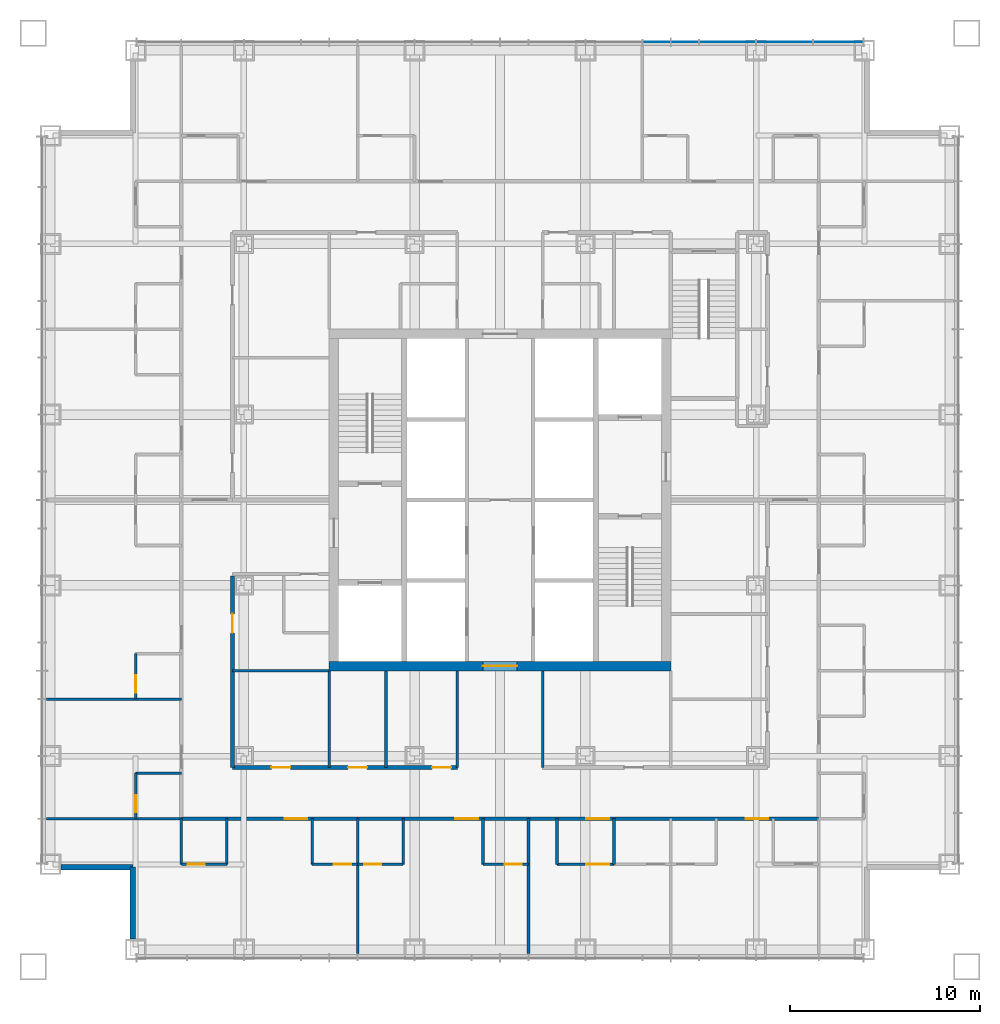
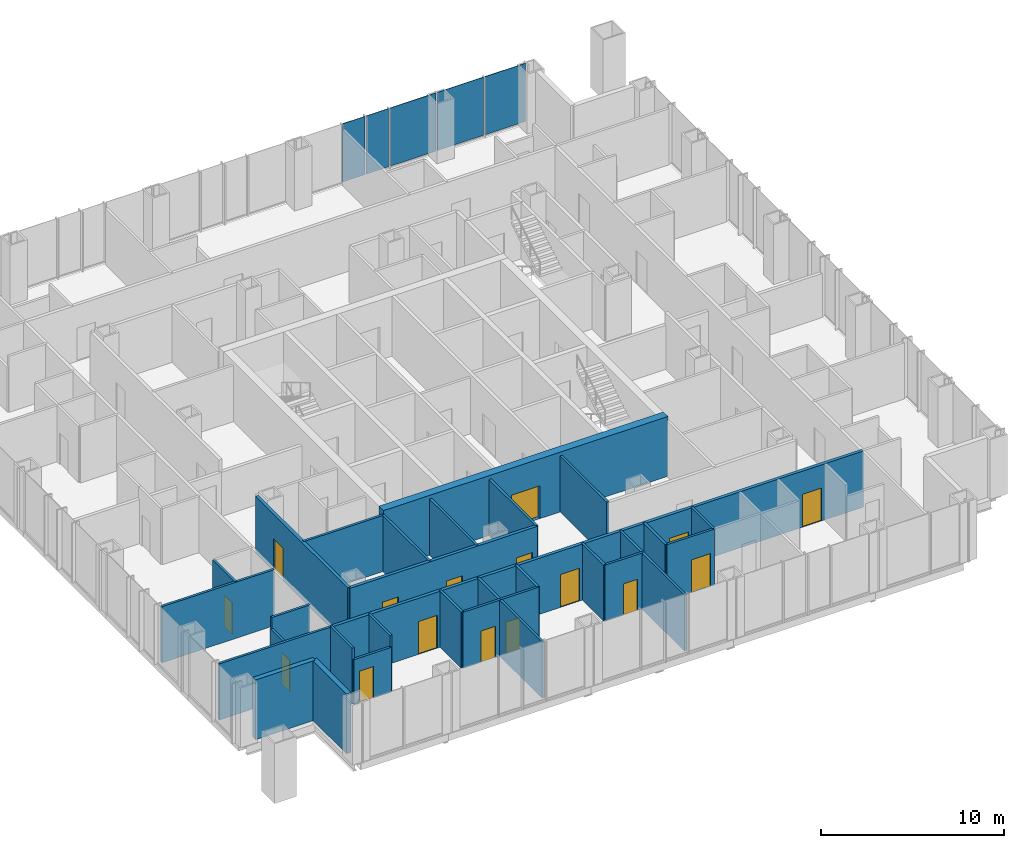
# One storey, part 7 of 12: 30 walls, 16 doors, 5 plates, 16 openings, 1 element without a shape of its own.
"""IFC4 building model written with IfcOpenShell, lengths in metres."""

from ifc_helpers import new_model, si_unit, direction, frame, frame_2d, origin, origin_2d, place, context, subcontext, project, spatial, rectangle, extrude, material, layer, layer_set, type_object, element, fill, aggregate, save


model = new_model("IFC4")

# Units and contexts
model_context = context("Model", 3, precision=1e-05, world=origin(), true_north=direction((0.0, 1.0)))
body_context = subcontext(model_context, "Body", "Model", "MODEL_VIEW")
ifc_project = project(units=[si_unit("LENGTHUNIT", "METRE"), si_unit("AREAUNIT", "SQUARE_METRE"), si_unit("VOLUMEUNIT", "CUBIC_METRE"), si_unit("PLANEANGLEUNIT", "RADIAN"), si_unit("MASSUNIT", "GRAM", prefix="KILO")], contexts=[model_context])

# Site, building, storey
site_placement = place(None, origin())
site = spatial("IfcSite", under=ifc_project, at=site_placement, CompositionType="ELEMENT")
building_placement = place(site_placement, origin())
building = spatial("IfcBuilding", under=site, at=building_placement, Name="Malebo Sky Hospital", CompositionType="ELEMENT")
storey_placement = place(building_placement, frame((0.0, 0.0, 136.0)))
storey = spatial("IfcBuildingStorey", under=building, at=storey_placement, Name="L32", CompositionType="ELEMENT", Elevation=136.0)

# Curtain wall, plates
ifc_material_1 = material(Name="Anodised aluminium, natural silver", Category="aluminium")
ifc_layer_1 = layer(ifc_material_1, 0.25)
ifc_layer_set_1 = layer_set([ifc_layer_1], Name="WARD CURTAIN WALL NORTH AND SOUTH")
curtain_wall_type = type_object("IfcCurtainWallType", Name="WARD CURTAIN WALL NORTH AND SOUTH", PredefinedType="NOTDEFINED", material=ifc_layer_set_1)
curtain_wall_placement = place(storey_placement, origin())
curtain_wall = element("IfcCurtainWall", 1, at=curtain_wall_placement, inside=storey, type_object=curtain_wall_type, Name="NS curtain wall N", PredefinedType="NOTDEFINED")
ifc_material_2 = material(Name="Clear low-iron double glazing", Category="glass")
ifc_layer_2 = layer(ifc_material_2, 0.031982421875)
ifc_layer_set_2 = layer_set([ifc_layer_2], Name="VISION PANEL CLEAR 32")
plate_type = type_object("IfcPlateType", Name="VISION PANEL CLEAR 32", PredefinedType="CURTAIN_PANEL", material=ifc_layer_set_2)
plate_1_placement = place(storey_placement, frame((68.25, 86.135009765625, 0.10009765625), z_axis=(0.0, 0.0, 1.0), x_axis=(1.0, 0.0, 0.0)))
plate_1 = element("IfcPlate", 2, at=plate_1_placement, type_object=plate_type, Name="Panel 12", PredefinedType="CURTAIN_PANEL", context=body_context, shape_type="SweptSolid", body=[
    extrude(rectangle(XDim=1.425048828125, YDim=0.031982421875, at=origin_2d()), origin(), (0.0, 0.0, 1.0), 3.889892578125),
])
plate_2_placement = place(storey_placement, frame((69.75, 86.135009765625, 0.10009765625), z_axis=(0.0, 0.0, 1.0), x_axis=(1.0, 0.0, 0.0)))
plate_2 = element("IfcPlate", 3, at=plate_2_placement, type_object=plate_type, Name="Panel 13", PredefinedType="CURTAIN_PANEL", context=body_context, shape_type="SweptSolid", body=[
    extrude(rectangle(XDim=1.425048828125, YDim=0.031982421875, at=origin_2d()), origin(), (0.0, 0.0, 1.0), 3.889892578125),
])
plate_3_placement = place(storey_placement, frame((72.0, 86.135009765625, 0.10009765625), z_axis=(0.0, 0.0, 1.0), x_axis=(1.0, 0.0, 0.0)))
plate_3 = element("IfcPlate", 4, at=plate_3_placement, type_object=plate_type, Name="Panel 14", PredefinedType="CURTAIN_PANEL", context=body_context, shape_type="SweptSolid", body=[
    extrude(rectangle(XDim=2.925048828125, YDim=0.031982421875, at=origin_2d()), origin(), (0.0, 0.0, 1.0), 3.889892578125),
])
plate_4_placement = place(storey_placement, frame((75.0, 86.135009765625, 0.10009765625), z_axis=(0.0, 0.0, 1.0), x_axis=(1.0, 0.0, 0.0)))
plate_4 = element("IfcPlate", 5, at=plate_4_placement, type_object=plate_type, Name="Panel 15", PredefinedType="CURTAIN_PANEL", context=body_context, shape_type="SweptSolid", body=[
    extrude(rectangle(XDim=2.925048828125, YDim=0.031982421875, at=origin_2d()), origin(), (0.0, 0.0, 1.0), 3.889892578125),
])
plate_5_placement = place(storey_placement, frame((77.831298828125, 86.135009765625, 0.10009765625), z_axis=(0.0, 0.0, 1.0), x_axis=(1.0, 0.0, 0.0)))
plate_5 = element("IfcPlate", 6, at=plate_5_placement, type_object=plate_type, Name="Panel 16", PredefinedType="CURTAIN_PANEL", context=body_context, shape_type="SweptSolid", body=[
    extrude(rectangle(XDim=2.58740234375, YDim=0.031982421875, at=origin_2d()), origin(), (0.0, 0.0, 1.0), 3.889892578125),
])
aggregate(curtain_wall, [plate_1, plate_2, plate_3, plate_4, plate_5])

# Wall, opening, door
ifc_material_3 = material(Name="Concrete C80/95", Category="concrete")
ifc_layer_3 = layer(ifc_material_3, 0.5)
ifc_layer_set_3 = layer_set([ifc_layer_3], Name="CORE WALL 500")
wall_type_1 = type_object("IfcWallType", Name="CORE WALL 500", PredefinedType="SHEAR", material=ifc_layer_set_3)
wall_1_placement = place(storey_placement, frame((51.0, 53.25, 0.0), z_axis=(0.0, 0.0, 1.0), x_axis=(1.0, 0.0, 0.0)))
wall_1 = element("IfcWall", 7, at=wall_1_placement, inside=storey, type_object=wall_type_1, Name="Core wall S L32", PredefinedType="SHEAR", context=body_context, shape_type="SweptSolid", body=[
    extrude(rectangle(XDim=18.0, YDim=0.5, at=frame_2d((9.0, 0.0))), origin(), (0.0, 0.0, 1.0), 4.0),
])
opening_1_placement = place(wall_1_placement, frame((8.10009765625, 0.0, 0.0)))
opening_1 = element("IfcOpeningElement", 8, at=opening_1_placement, cuts=wall_1, Name="Opening D06", PredefinedType="OPENING", context=body_context, shape_type="SweptSolid", body=[
    extrude(rectangle(XDim=1.800048828125, YDim=2.199951171875, at=frame_2d((0.89990234375, 1.10009765625))), frame((0.0, 0.260009765625, 0.0), z_axis=(0.0, -1.0, 0.0), x_axis=(1.0, 0.0, 0.0)), (0.0, 0.0, 1.0), 0.52001953125),
])
ifc_material_4 = material(Name="Hardwood-faced door leaf in steel frame", Category="steel")
door_type_1 = type_object("IfcDoorType", Name="LOBBY DOOR PAIR 1800", OperationType="DOUBLE_DOOR_SINGLE_SWING", PredefinedType="DOOR", material=ifc_material_4)
door_1_placement = place(opening_1_placement, origin())
door_1 = element("IfcDoor", 9, at=door_1_placement, inside=storey, type_object=door_type_1, Name="Lift lobby door south", OperationType="DOUBLE_DOOR_SINGLE_SWING", OverallHeight=2.199951171875, OverallWidth=1.800048828125, PredefinedType="DOOR", context=body_context, shape_type="SweptSolid", body=[
    extrude(rectangle(XDim=1.800048828125, YDim=2.199951171875, at=frame_2d((0.89990234375, 1.10009765625))), frame((0.0, 0.02490234375, 0.0), z_axis=(0.0, -1.0, 0.0), x_axis=(1.0, 0.0, 0.0)), (0.0, 0.0, 1.0), 0.050048828125),
])
fill(opening_1, door_1)

ifc_material_5 = material(Name="Gypsum board on steel studs", Category="steel")
ifc_layer_4 = layer(ifc_material_5, 0.199951171875)
ifc_layer_set_4 = layer_set([ifc_layer_4], Name="CORRIDOR WALL 200")
wall_type_2 = type_object("IfcWallType", Name="CORRIDOR WALL 200", PredefinedType="PARTITIONING", material=ifc_layer_set_4)
wall_2_placement = place(storey_placement, frame((45.89990234375, 47.89990234375, 0.0), z_axis=(0.0, 0.0, 1.0), x_axis=(0.0, 1.0, 0.0)))
wall_2 = element("IfcWall", 10, at=wall_2_placement, inside=storey, type_object=wall_type_2, Name="Corridor Wall 200 WCI1", PredefinedType="PARTITIONING", context=body_context, shape_type="SweptSolid", body=[
    extrude(rectangle(XDim=10.10009765625, YDim=0.199951171875, at=frame_2d((5.050048828125, 0.0))), origin(), (0.0, 0.0, 1.0), 3.75),
])
opening_2_placement = place(wall_2_placement, frame((7.10009765625, 0.0, 0.0)))
opening_2 = element("IfcOpeningElement", 11, at=opening_2_placement, cuts=wall_2, Name="Opening D03", PredefinedType="OPENING", context=body_context, shape_type="SweptSolid", body=[
    extrude(rectangle(XDim=1.0, YDim=2.10009765625, at=frame_2d((0.5, 1.050048828125))), frame((0.0, 0.10986328125, 0.0), z_axis=(0.0, -1.0, 0.0), x_axis=(1.0, 0.0, 0.0)), (0.0, 0.0, 1.0), 0.219970703125),
])
door_type_2 = type_object("IfcDoorType", Name="ROOM DOOR 1000", OperationType="SINGLE_SWING_LEFT", PredefinedType="DOOR", material=ifc_material_4)
door_2_placement = place(opening_2_placement, origin())
door_2 = element("IfcDoor", 12, at=door_2_placement, inside=storey, type_object=door_type_2, Name="Ward office door", OperationType="SINGLE_SWING_LEFT", OverallHeight=2.10009765625, OverallWidth=1.0, PredefinedType="DOOR", context=body_context, shape_type="SweptSolid", body=[
    extrude(rectangle(XDim=1.0, YDim=2.10009765625, at=frame_2d((0.5, 1.050048828125))), frame((0.0, 0.02490234375, 0.0), z_axis=(0.0, -1.0, 0.0), x_axis=(1.0, 0.0, 0.0)), (0.0, 0.0, 1.0), 0.050048828125),
])
fill(opening_2, door_2)

# Wall, openings, doors
wall_3_placement = place(storey_placement, frame((76.800048828125, 45.199951171875, 0.0), z_axis=(0.0, 0.0, 1.0), x_axis=(-1.0, 0.0, 0.0)))
wall_3 = element("IfcWall", 13, at=wall_3_placement, inside=storey, type_object=wall_type_2, Name="Corridor Wall 200 SCO", PredefinedType="PARTITIONING", context=body_context, shape_type="SweptSolid", body=[
    extrude(rectangle(XDim=33.60009765625, YDim=0.199951171875, at=frame_2d((16.800048828125, 0.0))), origin(), (0.0, 0.0, 1.0), 3.75),
])
opening_3_placement = place(wall_3_placement, frame((2.64990234375, 0.0, 0.0)))
opening_3 = element("IfcOpeningElement", 14, at=opening_3_placement, cuts=wall_3, Name="Opening D01", PredefinedType="OPENING", context=body_context, shape_type="SweptSolid", body=[
    extrude(rectangle(XDim=1.199951171875, YDim=2.199951171875, at=frame_2d((0.60009765625, 1.10009765625))), frame((0.0, 0.10986328125, 0.0), z_axis=(0.0, -1.0, 0.0), x_axis=(1.0, 0.0, 0.0)), (0.0, 0.0, 1.0), 0.219970703125),
])
opening_4_placement = place(wall_3_placement, frame((11.050048828125, 0.0, 0.0)))
opening_4 = element("IfcOpeningElement", 15, at=opening_4_placement, cuts=wall_3, Name="Opening D18", PredefinedType="OPENING", context=body_context, shape_type="SweptSolid", body=[
    extrude(rectangle(XDim=1.199951171875, YDim=2.199951171875, at=frame_2d((0.60009765625, 1.10009765625))), frame((0.0, 0.10986328125, 0.0), z_axis=(0.0, -1.0, 0.0), x_axis=(1.0, 0.0, 0.0)), (0.0, 0.0, 1.0), 0.219970703125),
])
opening_5_placement = place(wall_3_placement, frame((17.949951171875, 0.0, 0.0)))
opening_5 = element("IfcOpeningElement", 16, at=opening_5_placement, cuts=wall_3, Name="Opening D01", PredefinedType="OPENING", context=body_context, shape_type="SweptSolid", body=[
    extrude(rectangle(XDim=1.199951171875, YDim=2.199951171875, at=frame_2d((0.60009765625, 1.10009765625))), frame((0.0, 0.10986328125, 0.0), z_axis=(0.0, -1.0, 0.0), x_axis=(1.0, 0.0, 0.0)), (0.0, 0.0, 1.0), 0.219970703125),
])
opening_6_placement = place(wall_3_placement, frame((26.949951171875, 0.0, 0.0)))
opening_6 = element("IfcOpeningElement", 17, at=opening_6_placement, cuts=wall_3, Name="Opening D01", PredefinedType="OPENING", context=body_context, shape_type="SweptSolid", body=[
    extrude(rectangle(XDim=1.199951171875, YDim=2.199951171875, at=frame_2d((0.60009765625, 1.10009765625))), frame((0.0, 0.10986328125, 0.0), z_axis=(0.0, -1.0, 0.0), x_axis=(1.0, 0.0, 0.0)), (0.0, 0.0, 1.0), 0.219970703125),
])
door_type_3 = type_object("IfcDoorType", Name="ANTEROOM DOOR 1200", OperationType="SINGLE_SWING_LEFT", PredefinedType="DOOR", material=ifc_material_4)
door_3_placement = place(opening_4_placement, origin())
door_3 = element("IfcDoor", 18, at=door_3_placement, inside=storey, type_object=door_type_3, Name="Anteroom door", OperationType="SINGLE_SWING_LEFT", OverallHeight=2.199951171875, OverallWidth=1.199951171875, PredefinedType="DOOR", context=body_context, shape_type="SweptSolid", body=[
    extrude(rectangle(XDim=1.199951171875, YDim=2.199951171875, at=frame_2d((0.60009765625, 1.10009765625))), frame((0.0, 0.02490234375, 0.0), z_axis=(0.0, -1.0, 0.0), x_axis=(1.0, 0.0, 0.0)), (0.0, 0.0, 1.0), 0.050048828125),
])
fill(opening_4, door_3)
door_type_4 = type_object("IfcDoorType", Name="BED DOOR 1200", OperationType="SINGLE_SWING_LEFT", PredefinedType="DOOR", material=ifc_material_4)
door_4_placement = place(opening_3_placement, origin())
door_4 = element("IfcDoor", 19, at=door_4_placement, inside=storey, type_object=door_type_4, Name="Four-bed bay door", OperationType="SINGLE_SWING_LEFT", OverallHeight=2.199951171875, OverallWidth=1.199951171875, PredefinedType="DOOR", context=body_context, shape_type="SweptSolid", body=[
    extrude(rectangle(XDim=1.199951171875, YDim=2.199951171875, at=frame_2d((0.60009765625, 1.10009765625))), frame((0.0, 0.02490234375, 0.0), z_axis=(0.0, -1.0, 0.0), x_axis=(1.0, 0.0, 0.0)), (0.0, 0.0, 1.0), 0.050048828125),
])
fill(opening_3, door_4)
door_5_placement = place(opening_5_placement, origin())
door_5 = element("IfcDoor", 20, at=door_5_placement, inside=storey, type_object=door_type_4, Name="Four-bed bay door", OperationType="SINGLE_SWING_LEFT", OverallHeight=2.199951171875, OverallWidth=1.199951171875, PredefinedType="DOOR", context=body_context, shape_type="SweptSolid", body=[
    extrude(rectangle(XDim=1.199951171875, YDim=2.199951171875, at=frame_2d((0.60009765625, 1.10009765625))), frame((0.0, 0.02490234375, 0.0), z_axis=(0.0, -1.0, 0.0), x_axis=(1.0, 0.0, 0.0)), (0.0, 0.0, 1.0), 0.050048828125),
])
fill(opening_5, door_5)
door_6_placement = place(opening_6_placement, origin())
door_6 = element("IfcDoor", 21, at=door_6_placement, inside=storey, type_object=door_type_4, Name="Four-bed bay door", OperationType="SINGLE_SWING_LEFT", OverallHeight=2.199951171875, OverallWidth=1.199951171875, PredefinedType="DOOR", context=body_context, shape_type="SweptSolid", body=[
    extrude(rectangle(XDim=1.199951171875, YDim=2.199951171875, at=frame_2d((0.60009765625, 1.10009765625))), frame((0.0, 0.02490234375, 0.0), z_axis=(0.0, -1.0, 0.0), x_axis=(1.0, 0.0, 0.0)), (0.0, 0.0, 1.0), 0.050048828125),
])
fill(opening_6, door_6)

wall_4_placement = place(storey_placement, frame((57.75, 47.89990234375, 0.0), z_axis=(0.0, 0.0, 1.0), x_axis=(-1.0, 0.0, 0.0)))
wall_4 = element("IfcWall", 22, at=wall_4_placement, inside=storey, type_object=wall_type_2, Name="Corridor Wall 200 SCI2", PredefinedType="PARTITIONING", context=body_context, shape_type="SweptSolid", body=[
    extrude(rectangle(XDim=11.85009765625, YDim=0.199951171875, at=frame_2d((5.925048828125, 0.0))), origin(), (0.0, 0.0, 1.0), 3.75),
])
opening_7_placement = place(wall_4_placement, frame((0.324951171875, 0.0, 0.0)))
opening_7 = element("IfcOpeningElement", 23, at=opening_7_placement, cuts=wall_4, Name="Opening D03", PredefinedType="OPENING", context=body_context, shape_type="SweptSolid", body=[
    extrude(rectangle(XDim=1.0, YDim=2.10009765625, at=frame_2d((0.5, 1.050048828125))), frame((0.0, 0.10986328125, 0.0), z_axis=(0.0, -1.0, 0.0), x_axis=(1.0, 0.0, 0.0)), (0.0, 0.0, 1.0), 0.219970703125),
])
opening_8_placement = place(wall_4_placement, frame((4.75, 0.0, 0.0)))
opening_8 = element("IfcOpeningElement", 24, at=opening_8_placement, cuts=wall_4, Name="Opening D03", PredefinedType="OPENING", context=body_context, shape_type="SweptSolid", body=[
    extrude(rectangle(XDim=1.0, YDim=2.10009765625, at=frame_2d((0.5, 1.050048828125))), frame((0.0, 0.10986328125, 0.0), z_axis=(0.0, -1.0, 0.0), x_axis=(1.0, 0.0, 0.0)), (0.0, 0.0, 1.0), 0.219970703125),
])
opening_9_placement = place(wall_4_placement, frame((8.800048828125, 0.0, 0.0)))
opening_9 = element("IfcOpeningElement", 25, at=opening_9_placement, cuts=wall_4, Name="Opening D03", PredefinedType="OPENING", context=body_context, shape_type="SweptSolid", body=[
    extrude(rectangle(XDim=1.0, YDim=2.10009765625, at=frame_2d((0.5, 1.050048828125))), frame((0.0, 0.10986328125, 0.0), z_axis=(0.0, -1.0, 0.0), x_axis=(1.0, 0.0, 0.0)), (0.0, 0.0, 1.0), 0.219970703125),
])
door_7_placement = place(opening_7_placement, origin())
door_7 = element("IfcDoor", 26, at=door_7_placement, inside=storey, type_object=door_type_2, Name="Clean utility room door", OperationType="SINGLE_SWING_LEFT", OverallHeight=2.10009765625, OverallWidth=1.0, PredefinedType="DOOR", context=body_context, shape_type="SweptSolid", body=[
    extrude(rectangle(XDim=1.0, YDim=2.10009765625, at=frame_2d((0.5, 1.050048828125))), frame((0.0, 0.02490234375, 0.0), z_axis=(0.0, -1.0, 0.0), x_axis=(1.0, 0.0, 0.0)), (0.0, 0.0, 1.0), 0.050048828125),
])
fill(opening_7, door_7)
door_8_placement = place(opening_8_placement, origin())
door_8 = element("IfcDoor", 27, at=door_8_placement, inside=storey, type_object=door_type_2, Name="Medication room door", OperationType="SINGLE_SWING_LEFT", OverallHeight=2.10009765625, OverallWidth=1.0, PredefinedType="DOOR", context=body_context, shape_type="SweptSolid", body=[
    extrude(rectangle(XDim=1.0, YDim=2.10009765625, at=frame_2d((0.5, 1.050048828125))), frame((0.0, 0.02490234375, 0.0), z_axis=(0.0, -1.0, 0.0), x_axis=(1.0, 0.0, 0.0)), (0.0, 0.0, 1.0), 0.050048828125),
])
fill(opening_8, door_8)
door_9_placement = place(opening_9_placement, origin())
door_9 = element("IfcDoor", 28, at=door_9_placement, inside=storey, type_object=door_type_2, Name="Vascular access clinic room door", OperationType="SINGLE_SWING_RIGHT", OverallHeight=2.10009765625, OverallWidth=1.0, PredefinedType="DOOR", context=body_context, shape_type="SweptSolid", body=[
    extrude(rectangle(XDim=1.0, YDim=2.10009765625, at=frame_2d((0.5, 1.050048828125))), frame((0.0, 0.02490234375, 0.0), z_axis=(0.0, -1.0, 0.0), x_axis=(1.0, 0.0, 0.0)), (0.0, 0.0, 1.0), 0.050048828125),
])
fill(opening_9, door_9)

# Walls
ifc_material_6 = material(Name="Anodised aluminium rainscreen on steel framing", Category="steel")
ifc_layer_5 = layer(ifc_material_6, 0.300048828125)
ifc_layer_set_5 = layer_set([ifc_layer_5], Name="NOTCH RAINSCREEN WALL 300")
wall_type_3 = type_object("IfcWallType", Name="NOTCH RAINSCREEN WALL 300", PredefinedType="ELEMENTEDWALL", material=ifc_layer_set_5)
for number, where, z_axis, x_axis, name in (
    (29, (40.64990234375, 38.85009765625, 0.0), (0.0, 0.0, 1.0), (0.0, 1.0, 0.0), "Notch rainscreen wall S1 L32"),
    (30, (40.64990234375, 42.64990234375, 0.0), (0.0, 0.0, 1.0), (-1.0, 0.0, 0.0), "Notch rainscreen wall S2 L32"),
):
    element("IfcWall", number, at=place(storey_placement, frame(where, z_axis=z_axis, x_axis=x_axis)), inside=storey, type_object=wall_type_3, Name=name, PredefinedType="ELEMENTEDWALL", context=body_context, shape_type="SweptSolid", body=[
        extrude(rectangle(XDim=3.7998046875, YDim=0.300048828125, at=frame_2d((1.89990234375, 0.0))), origin(), (0.0, 0.0, 1.0), 4.0),
    ])
ifc_layer_6 = layer(ifc_material_5, 0.14990234375)
ifc_layer_set_6 = layer_set([ifc_layer_6], Name="PARTITION 150")
wall_type_4 = type_object("IfcWallType", Name="PARTITION 150", PredefinedType="PARTITIONING", material=ifc_layer_set_6)
for number, where, z_axis, x_axis, name in (
    (31, (43.199951171875, 51.5, 0.0), (0.0, 0.0, 1.0), (-1.0, 0.0, 0.0), "Partition 150 WP-10.5"),
    (32, (43.199951171875, 45.199951171875, 0.0), (0.0, 0.0, 1.0), (-1.0, 0.0, 0.0), "Partition 150 WP0"),
):
    element("IfcWall", number, at=place(storey_placement, frame(where, z_axis=z_axis, x_axis=x_axis)), inside=storey, type_object=wall_type_4, Name=name, PredefinedType="PARTITIONING", context=body_context, shape_type="SweptSolid", body=[
        extrude(rectangle(XDim=7.10986328125, YDim=0.14990234375, at=frame_2d((3.554931640625, 0.0))), origin(), (0.0, 0.0, 1.0), 3.75),
    ])

# Wall, opening, door
wall_5_placement = place(storey_placement, frame((40.800048828125, 45.199951171875, 0.0), z_axis=(0.0, 0.0, 1.0), x_axis=(0.0, 1.0, 0.0)))
wall_5 = element("IfcWall", 33, at=wall_5_placement, inside=storey, type_object=wall_type_4, Name="Partition 150 WE0F", PredefinedType="PARTITIONING", context=body_context, shape_type="SweptSolid", body=[
    extrude(rectangle(XDim=2.400146484375, YDim=0.14990234375, at=frame_2d((1.2001953125, 0.0))), origin(), (0.0, 0.0, 1.0), 2.9970703125),
])
opening_10_placement = place(wall_5_placement, frame((0.35009765625, 0.0, 0.0)))
opening_10 = element("IfcOpeningElement", 34, at=opening_10_placement, cuts=wall_5, Name="Opening D02", PredefinedType="OPENING", context=body_context, shape_type="SweptSolid", body=[
    extrude(rectangle(XDim=0.89990234375, YDim=2.10009765625, at=frame_2d((0.449951171875, 1.050048828125))), frame((0.0, 0.0849609375, 0.0), z_axis=(0.0, -1.0, 0.0), x_axis=(1.0, 0.0, 0.0)), (0.0, 0.0, 1.0), 0.169921875),
])
door_type_5 = type_object("IfcDoorType", Name="EN-SUITE DOOR 900", OperationType="SINGLE_SWING_LEFT", PredefinedType="DOOR", material=ifc_material_4)
door_10_placement = place(opening_10_placement, origin())
door_10 = element("IfcDoor", 35, at=door_10_placement, inside=storey, type_object=door_type_5, Name="En-suite door", OperationType="SINGLE_SWING_LEFT", OverallHeight=2.10009765625, OverallWidth=0.89990234375, PredefinedType="DOOR", context=body_context, shape_type="SweptSolid", body=[
    extrude(rectangle(XDim=0.89990234375, YDim=2.10009765625, at=frame_2d((0.449951171875, 1.050048828125))), frame((0.0, 0.02490234375, 0.0), z_axis=(0.0, -1.0, 0.0), x_axis=(1.0, 0.0, 0.0)), (0.0, 0.0, 1.0), 0.050048828125),
])
fill(opening_10, door_10)

# Wall
wall_6_placement = place(storey_placement, frame((43.199951171875, 47.60009765625, 0.0), z_axis=(0.0, 0.0, 1.0), x_axis=(-1.0, 0.0, 0.0)))
element("IfcWall", 36, at=wall_6_placement, inside=storey, type_object=wall_type_4, Name="Partition 150 WE0S", PredefinedType="PARTITIONING", context=body_context, shape_type="SweptSolid", body=[
    extrude(rectangle(XDim=2.39990234375, YDim=0.14990234375, at=frame_2d((1.199951171875, 0.0))), origin(), (0.0, 0.0, 1.0), 3.75),
])

# Wall, opening, door
wall_7_placement = place(storey_placement, frame((40.800048828125, 51.5, 0.0), z_axis=(0.0, 0.0, 1.0), x_axis=(0.0, 1.0, 0.0)))
wall_7 = element("IfcWall", 37, at=wall_7_placement, inside=storey, type_object=wall_type_4, Name="Partition 150 WE1F", PredefinedType="PARTITIONING", context=body_context, shape_type="SweptSolid", body=[
    extrude(rectangle(XDim=2.39990234375, YDim=0.14990234375, at=frame_2d((1.199951171875, 0.0))), origin(), (0.0, 0.0, 1.0), 3.75),
])
opening_11_placement = place(wall_7_placement, frame((0.35009765625, 0.0, 0.0)))
opening_11 = element("IfcOpeningElement", 38, at=opening_11_placement, cuts=wall_7, Name="Opening D02", PredefinedType="OPENING", context=body_context, shape_type="SweptSolid", body=[
    extrude(rectangle(XDim=0.89990234375, YDim=2.10009765625, at=frame_2d((0.449951171875, 1.050048828125))), frame((0.0, 0.0849609375, 0.0), z_axis=(0.0, -1.0, 0.0), x_axis=(1.0, 0.0, 0.0)), (0.0, 0.0, 1.0), 0.169921875),
])
door_11_placement = place(opening_11_placement, origin())
door_11 = element("IfcDoor", 39, at=door_11_placement, inside=storey, type_object=door_type_5, Name="En-suite door", OperationType="SINGLE_SWING_LEFT", OverallHeight=2.10009765625, OverallWidth=0.89990234375, PredefinedType="DOOR", context=body_context, shape_type="SweptSolid", body=[
    extrude(rectangle(XDim=0.89990234375, YDim=2.10009765625, at=frame_2d((0.449951171875, 1.050048828125))), frame((0.0, 0.02490234375, 0.0), z_axis=(0.0, -1.0, 0.0), x_axis=(1.0, 0.0, 0.0)), (0.0, 0.0, 1.0), 0.050048828125),
])
fill(opening_11, door_11)

# Walls
wall_8_placement = place(storey_placement, frame((51.0, 53.0, 0.0), z_axis=(0.0, 0.0, 1.0), x_axis=(-1.0, 0.0, 0.0)))
element("IfcWall", 40, at=wall_8_placement, inside=storey, type_object=wall_type_4, Name="Partition 150 WSP0", PredefinedType="PARTITIONING", context=body_context, shape_type="SweptSolid", body=[
    extrude(rectangle(XDim=5.10009765625, YDim=0.14990234375, at=frame_2d((2.550048828125, 0.0))), origin(), (0.0, 0.0, 1.0), 3.75),
])
for number, where, z_axis, x_axis, name in (
    (41, (61.5, 45.199951171875, 0.0), (0.0, 0.0, 1.0), (0.0, -1.0, 0.0), "Partition 150 SP-1.5"),
    (42, (52.5, 45.199951171875, 0.0), (0.0, 0.0, 1.0), (0.0, -1.0, 0.0), "Partition 150 SP+7.5"),
):
    element("IfcWall", number, at=place(storey_placement, frame(where, z_axis=z_axis, x_axis=x_axis)), inside=storey, type_object=wall_type_4, Name=name, PredefinedType="PARTITIONING", context=body_context, shape_type="SweptSolid", body=[
        extrude(rectangle(XDim=7.10986328125, YDim=0.14990234375, at=frame_2d((3.554931640625, 0.0))), origin(), (0.0, 0.0, 1.0), 3.75),
    ])
wall_9_placement = place(storey_placement, frame((66.0, 45.199951171875, 0.0), z_axis=(0.0, 0.0, 1.0), x_axis=(0.0, -1.0, 0.0)))
element("IfcWall", 43, at=wall_9_placement, inside=storey, type_object=wall_type_4, Name="Partition 150 SE1S", PredefinedType="PARTITIONING", context=body_context, shape_type="SweptSolid", body=[
    extrude(rectangle(XDim=2.39990234375, YDim=0.14990234375, at=frame_2d((1.199951171875, 0.0))), origin(), (0.0, 0.0, 1.0), 3.75),
])

# Wall, opening, door
wall_10_placement = place(storey_placement, frame((61.5, 42.800048828125, 0.0), z_axis=(0.0, 0.0, 1.0), x_axis=(-1.0, 0.0, 0.0)))
wall_10 = element("IfcWall", 44, at=wall_10_placement, inside=storey, type_object=wall_type_4, Name="Partition 150 SE2F", PredefinedType="PARTITIONING", context=body_context, shape_type="SweptSolid", body=[
    extrude(rectangle(XDim=2.39990234375, YDim=0.14990234375, at=frame_2d((1.199951171875, 0.0))), origin(), (0.0, 0.0, 1.0), 3.75),
])
opening_12_placement = place(wall_10_placement, frame((0.35009765625, 0.0, 0.0)))
opening_12 = element("IfcOpeningElement", 45, at=opening_12_placement, cuts=wall_10, Name="Opening D02", PredefinedType="OPENING", context=body_context, shape_type="SweptSolid", body=[
    extrude(rectangle(XDim=0.89990234375, YDim=2.10009765625, at=frame_2d((0.449951171875, 1.050048828125))), frame((0.0, 0.0849609375, 0.0), z_axis=(0.0, -1.0, 0.0), x_axis=(1.0, 0.0, 0.0)), (0.0, 0.0, 1.0), 0.169921875),
])
door_12_placement = place(opening_12_placement, origin())
door_12 = element("IfcDoor", 46, at=door_12_placement, inside=storey, type_object=door_type_5, Name="En-suite door", OperationType="SINGLE_SWING_LEFT", OverallHeight=2.10009765625, OverallWidth=0.89990234375, PredefinedType="DOOR", context=body_context, shape_type="SweptSolid", body=[
    extrude(rectangle(XDim=0.89990234375, YDim=2.10009765625, at=frame_2d((0.449951171875, 1.050048828125))), frame((0.0, 0.02490234375, 0.0), z_axis=(0.0, -1.0, 0.0), x_axis=(1.0, 0.0, 0.0)), (0.0, 0.0, 1.0), 0.050048828125),
])
fill(opening_12, door_12)

# Wall
wall_11_placement = place(storey_placement, frame((59.10009765625, 45.199951171875, 0.0), z_axis=(0.0, 0.0, 1.0), x_axis=(0.0, -1.0, 0.0)))
element("IfcWall", 47, at=wall_11_placement, inside=storey, type_object=wall_type_4, Name="Partition 150 SE2S", PredefinedType="PARTITIONING", context=body_context, shape_type="SweptSolid", body=[
    extrude(rectangle(XDim=2.39990234375, YDim=0.14990234375, at=frame_2d((1.199951171875, 0.0))), origin(), (0.0, 0.0, 1.0), 3.75),
])

# Wall, opening, door
wall_12_placement = place(storey_placement, frame((54.89990234375, 42.800048828125, 0.0), z_axis=(0.0, 0.0, 1.0), x_axis=(-1.0, 0.0, 0.0)))
wall_12 = element("IfcWall", 48, at=wall_12_placement, inside=storey, type_object=wall_type_4, Name="Partition 150 SG2F", PredefinedType="PARTITIONING", context=body_context, shape_type="SweptSolid", body=[
    extrude(rectangle(XDim=2.39990234375, YDim=0.14990234375, at=frame_2d((1.199951171875, 0.0))), origin(), (0.0, 0.0, 1.0), 3.75),
])
opening_13_placement = place(wall_12_placement, frame((1.14990234375, 0.0, 0.0)))
opening_13 = element("IfcOpeningElement", 49, at=opening_13_placement, cuts=wall_12, Name="Opening D02", PredefinedType="OPENING", context=body_context, shape_type="SweptSolid", body=[
    extrude(rectangle(XDim=0.89990234375, YDim=2.10009765625, at=frame_2d((0.449951171875, 1.050048828125))), frame((0.0, 0.0849609375, 0.0), z_axis=(0.0, -1.0, 0.0), x_axis=(1.0, 0.0, 0.0)), (0.0, 0.0, 1.0), 0.169921875),
])
door_13_placement = place(opening_13_placement, origin())
door_13 = element("IfcDoor", 50, at=door_13_placement, inside=storey, type_object=door_type_5, Name="En-suite door", OperationType="SINGLE_SWING_RIGHT", OverallHeight=2.10009765625, OverallWidth=0.89990234375, PredefinedType="DOOR", context=body_context, shape_type="SweptSolid", body=[
    extrude(rectangle(XDim=0.89990234375, YDim=2.10009765625, at=frame_2d((0.449951171875, 1.050048828125))), frame((0.0, 0.02490234375, 0.0), z_axis=(0.0, -1.0, 0.0), x_axis=(1.0, 0.0, 0.0)), (0.0, 0.0, 1.0), 0.050048828125),
])
fill(opening_13, door_13)

# Wall
wall_13_placement = place(storey_placement, frame((54.89990234375, 45.199951171875, 0.0), z_axis=(0.0, 0.0, 1.0), x_axis=(0.0, -1.0, 0.0)))
element("IfcWall", 51, at=wall_13_placement, inside=storey, type_object=wall_type_4, Name="Partition 150 SG2S", PredefinedType="PARTITIONING", context=body_context, shape_type="SweptSolid", body=[
    extrude(rectangle(XDim=2.39990234375, YDim=0.14990234375, at=frame_2d((1.199951171875, 0.0))), origin(), (0.0, 0.0, 1.0), 3.75),
])

# Wall, opening, door
wall_14_placement = place(storey_placement, frame((52.5, 42.800048828125, 0.0), z_axis=(0.0, 0.0, 1.0), x_axis=(-1.0, 0.0, 0.0)))
wall_14 = element("IfcWall", 52, at=wall_14_placement, inside=storey, type_object=wall_type_4, Name="Partition 150 SE3F", PredefinedType="PARTITIONING", context=body_context, shape_type="SweptSolid", body=[
    extrude(rectangle(XDim=2.39990234375, YDim=0.14990234375, at=frame_2d((1.199951171875, 0.0))), origin(), (0.0, 0.0, 1.0), 3.75),
])
opening_14_placement = place(wall_14_placement, frame((0.35009765625, 0.0, 0.0)))
opening_14 = element("IfcOpeningElement", 53, at=opening_14_placement, cuts=wall_14, Name="Opening D02", PredefinedType="OPENING", context=body_context, shape_type="SweptSolid", body=[
    extrude(rectangle(XDim=0.89990234375, YDim=2.10009765625, at=frame_2d((0.449951171875, 1.050048828125))), frame((0.0, 0.0849609375, 0.0), z_axis=(0.0, -1.0, 0.0), x_axis=(1.0, 0.0, 0.0)), (0.0, 0.0, 1.0), 0.169921875),
])
door_14_placement = place(opening_14_placement, origin())
door_14 = element("IfcDoor", 54, at=door_14_placement, inside=storey, type_object=door_type_5, Name="En-suite door", OperationType="SINGLE_SWING_LEFT", OverallHeight=2.10009765625, OverallWidth=0.89990234375, PredefinedType="DOOR", context=body_context, shape_type="SweptSolid", body=[
    extrude(rectangle(XDim=0.89990234375, YDim=2.10009765625, at=frame_2d((0.449951171875, 1.050048828125))), frame((0.0, 0.02490234375, 0.0), z_axis=(0.0, -1.0, 0.0), x_axis=(1.0, 0.0, 0.0)), (0.0, 0.0, 1.0), 0.050048828125),
])
fill(opening_14, door_14)

# Wall
wall_15_placement = place(storey_placement, frame((50.10009765625, 45.199951171875, 0.0), z_axis=(0.0, 0.0, 1.0), x_axis=(0.0, -1.0, 0.0)))
element("IfcWall", 55, at=wall_15_placement, inside=storey, type_object=wall_type_4, Name="Partition 150 SE3S", PredefinedType="PARTITIONING", context=body_context, shape_type="SweptSolid", body=[
    extrude(rectangle(XDim=2.39990234375, YDim=0.14990234375, at=frame_2d((1.199951171875, 0.0))), origin(), (0.0, 0.0, 1.0), 3.75),
])

# Wall, opening, door
wall_16_placement = place(storey_placement, frame((45.60009765625, 42.800048828125, 0.0), z_axis=(0.0, 0.0, 1.0), x_axis=(-1.0, 0.0, 0.0)))
wall_16 = element("IfcWall", 56, at=wall_16_placement, inside=storey, type_object=wall_type_4, Name="Partition 150 SG3F", PredefinedType="PARTITIONING", context=body_context, shape_type="SweptSolid", body=[
    extrude(rectangle(XDim=2.400146484375, YDim=0.14990234375, at=frame_2d((1.2001953125, 0.0))), origin(), (0.0, 0.0, 1.0), 2.9970703125),
])
opening_15_placement = place(wall_16_placement, frame((1.14990234375, 0.0, 0.0)))
opening_15 = element("IfcOpeningElement", 57, at=opening_15_placement, cuts=wall_16, Name="Opening D02", PredefinedType="OPENING", context=body_context, shape_type="SweptSolid", body=[
    extrude(rectangle(XDim=0.89990234375, YDim=2.10009765625, at=frame_2d((0.449951171875, 1.050048828125))), frame((0.0, 0.0849609375, 0.0), z_axis=(0.0, -1.0, 0.0), x_axis=(1.0, 0.0, 0.0)), (0.0, 0.0, 1.0), 0.169921875),
])
door_15_placement = place(opening_15_placement, origin())
door_15 = element("IfcDoor", 58, at=door_15_placement, inside=storey, type_object=door_type_5, Name="En-suite door", OperationType="SINGLE_SWING_RIGHT", OverallHeight=2.10009765625, OverallWidth=0.89990234375, PredefinedType="DOOR", context=body_context, shape_type="SweptSolid", body=[
    extrude(rectangle(XDim=0.89990234375, YDim=2.10009765625, at=frame_2d((0.449951171875, 1.050048828125))), frame((0.0, 0.02490234375, 0.0), z_axis=(0.0, -1.0, 0.0), x_axis=(1.0, 0.0, 0.0)), (0.0, 0.0, 1.0), 0.050048828125),
])
fill(opening_15, door_15)

# Walls
for number, where, z_axis, x_axis, name in (
    (59, (45.60009765625, 45.199951171875, 0.0), (0.0, 0.0, 1.0), (0.0, -1.0, 0.0), "Partition 150 SG3S"),
    (60, (43.199951171875, 45.199951171875, 0.0), (0.0, 0.0, 1.0), (0.0, -1.0, 0.0), "Partition 150 SEZ"),
):
    element("IfcWall", number, at=place(storey_placement, frame(where, z_axis=z_axis, x_axis=x_axis)), inside=storey, type_object=wall_type_4, Name=name, PredefinedType="PARTITIONING", context=body_context, shape_type="SweptSolid", body=[
        extrude(rectangle(XDim=2.39990234375, YDim=0.14990234375, at=frame_2d((1.199951171875, 0.0))), origin(), (0.0, 0.0, 1.0), 3.75),
    ])
for number, where, z_axis, x_axis, name in (
    (61, (62.25, 53.0, 0.0), (0.0, 0.0, 1.0), (0.0, -1.0, 0.0), "Partition 150 SSPA"),
    (62, (57.75, 53.0, 0.0), (0.0, 0.0, 1.0), (0.0, -1.0, 0.0), "Partition 150 SSPB"),
    (63, (54.0, 53.0, 0.0), (0.0, 0.0, 1.0), (0.0, -1.0, 0.0), "Partition 150 SSP+6.0"),
    (64, (51.0, 53.0, 0.0), (0.0, 0.0, 1.0), (0.0, -1.0, 0.0), "Partition 150 SSP+9.0"),
):
    element("IfcWall", number, at=place(storey_placement, frame(where, z_axis=z_axis, x_axis=x_axis)), inside=storey, type_object=wall_type_4, Name=name, PredefinedType="PARTITIONING", context=body_context, shape_type="SweptSolid", body=[
        extrude(rectangle(XDim=5.10009765625, YDim=0.14990234375, at=frame_2d((2.550048828125, 0.0))), origin(), (0.0, 0.0, 1.0), 3.75),
    ])

# Wall, opening, door
ifc_material_7 = material(Name="Sealed gypsum board on steel studs, taped to the slab", Category="steel")
ifc_layer_7 = layer(ifc_material_7, 0.14990234375)
ifc_layer_set_7 = layer_set([ifc_layer_7], Name="SEALED ISOLATION PARTITION 150")
wall_type_5 = type_object("IfcWallType", Name="SEALED ISOLATION PARTITION 150", PredefinedType="PARTITIONING", material=ifc_layer_set_7)
wall_17_placement = place(storey_placement, frame((66.0, 42.800048828125, 0.0), z_axis=(0.0, 0.0, 1.0), x_axis=(-1.0, 0.0, 0.0)))
wall_17 = element("IfcWall", 65, at=wall_17_placement, inside=storey, type_object=wall_type_5, Name="Sealed Isolation Partition 150 SA1F", PredefinedType="PARTITIONING", context=body_context, shape_type="SweptSolid", body=[
    extrude(rectangle(XDim=3.0, YDim=0.14990234375, at=frame_2d((1.5, 0.0))), origin(), (0.0, 0.0, 1.0), 3.75),
])
opening_16_placement = place(wall_17_placement, frame((0.25, 0.0, 0.0)))
opening_16 = element("IfcOpeningElement", 66, at=opening_16_placement, cuts=wall_17, Name="Opening D19", PredefinedType="OPENING", context=body_context, shape_type="SweptSolid", body=[
    extrude(rectangle(XDim=1.199951171875, YDim=2.199951171875, at=frame_2d((0.60009765625, 1.10009765625))), frame((0.0, 0.0849609375, 0.0), z_axis=(0.0, -1.0, 0.0), x_axis=(1.0, 0.0, 0.0)), (0.0, 0.0, 1.0), 0.169921875),
])
ifc_material_8 = material(Name="Hardwood-faced door leaf with perimeter seals in steel frame", Category="steel")
door_type_6 = type_object("IfcDoorType", Name="SEALED ISOLATION ROOM DOOR 1200", OperationType="SINGLE_SWING_LEFT", PredefinedType="DOOR", material=ifc_material_8)
door_16_placement = place(opening_16_placement, origin())
door_16 = element("IfcDoor", 67, at=door_16_placement, inside=storey, type_object=door_type_6, Name="Isolation room door", OperationType="SINGLE_SWING_LEFT", OverallHeight=2.199951171875, OverallWidth=1.199951171875, PredefinedType="DOOR", context=body_context, shape_type="SweptSolid", body=[
    extrude(rectangle(XDim=1.199951171875, YDim=2.199951171875, at=frame_2d((0.60009765625, 1.10009765625))), frame((0.0, 0.02490234375, 0.0), z_axis=(0.0, -1.0, 0.0), x_axis=(1.0, 0.0, 0.0)), (0.0, 0.0, 1.0), 0.050048828125),
])
fill(opening_16, door_16)

# Wall
wall_18_placement = place(storey_placement, frame((63.0, 45.199951171875, 0.0), z_axis=(0.0, 0.0, 1.0), x_axis=(0.0, -1.0, 0.0)))
element("IfcWall", 68, at=wall_18_placement, inside=storey, type_object=wall_type_5, Name="Sealed Isolation Partition 150 SA1S", PredefinedType="PARTITIONING", context=body_context, shape_type="SweptSolid", body=[
    extrude(rectangle(XDim=2.39990234375, YDim=0.14990234375, at=frame_2d((1.199951171875, 0.0))), origin(), (0.0, 0.0, 1.0), 3.75),
])

save(model, "model.ifc")
